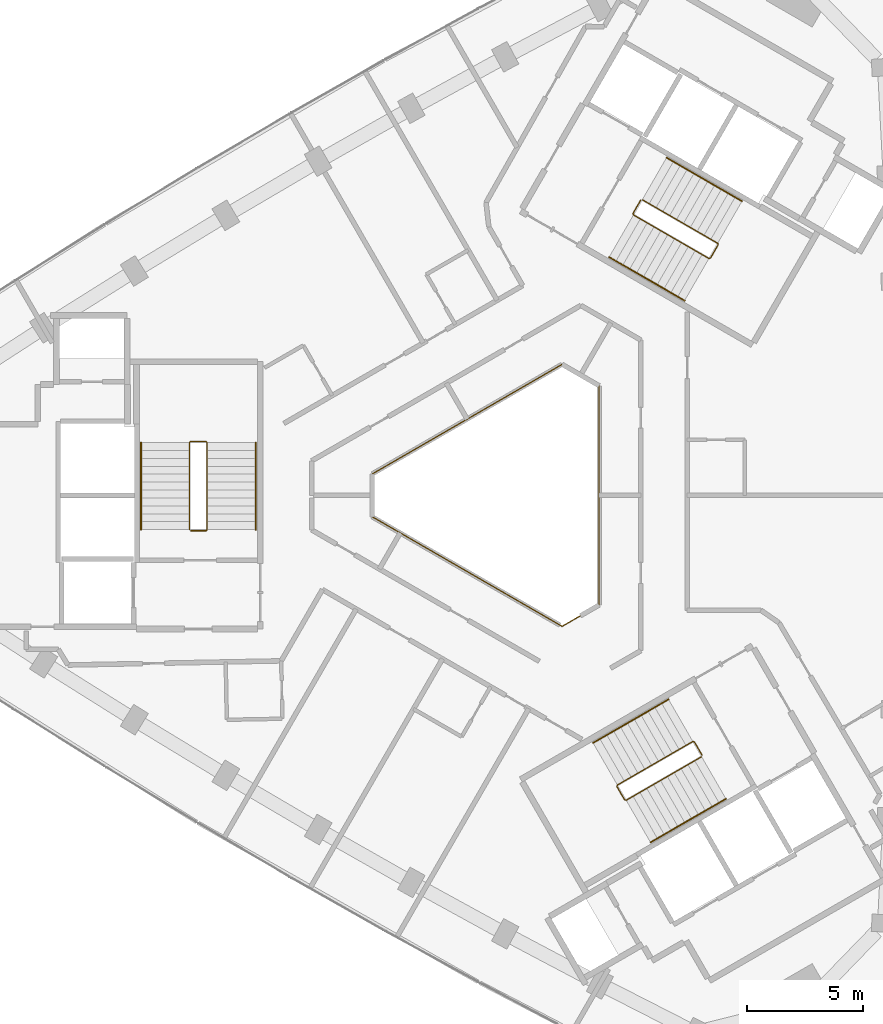
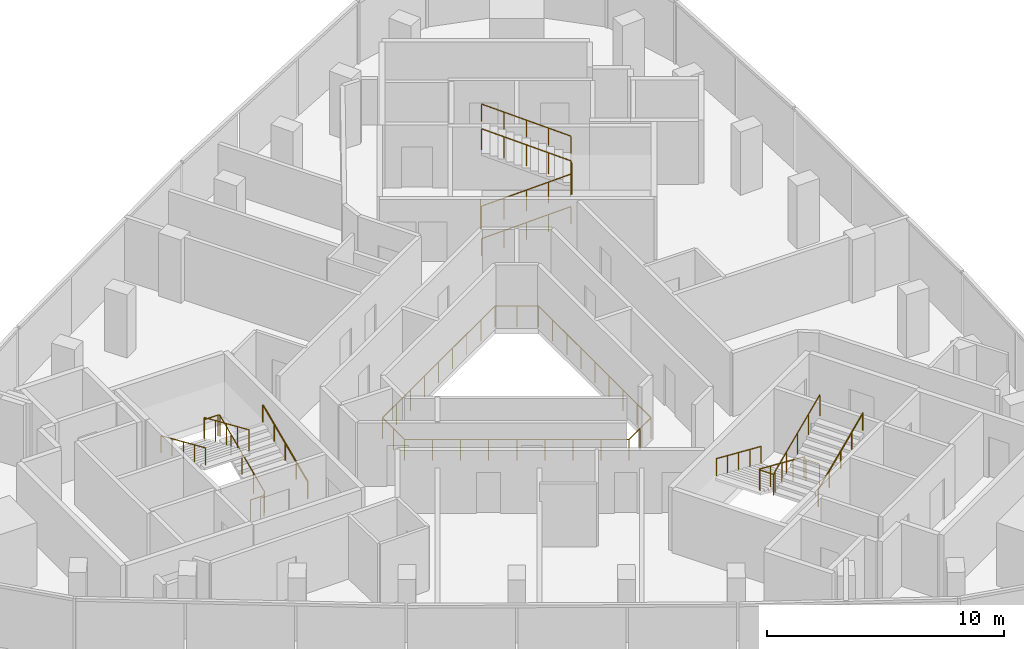
# One storey, part 11 of 11: 10 railings.
"""IFC4 building model written with IfcOpenShell, lengths in metres."""

from ifc_helpers import new_model, si_unit, direction, frame, origin, origin_2d, place, context, subcontext, project, spatial, circle, extrude, material, type_object, element, save


model = new_model("IFC4")

# Units and contexts
model_context = context("Model", 3, precision=1e-05, world=origin(), true_north=direction((0.0, 1.0)))
body_context = subcontext(model_context, "Body", "Model", "MODEL_VIEW")
ifc_project = project(units=[si_unit("LENGTHUNIT", "METRE"), si_unit("AREAUNIT", "SQUARE_METRE"), si_unit("VOLUMEUNIT", "CUBIC_METRE"), si_unit("PLANEANGLEUNIT", "RADIAN"), si_unit("MASSUNIT", "GRAM", prefix="KILO")], contexts=[model_context])

# Site, building, storey
site_placement = place(None, origin())
site = spatial("IfcSite", under=ifc_project, at=site_placement, CompositionType="ELEMENT")
building_placement = place(site_placement, origin())
building = spatial("IfcBuilding", under=site, at=building_placement, Name="Tamra Quay Hotel Tower", CompositionType="ELEMENT")
storey_placement = place(building_placement, frame((0.0, 0.0, 235.800048828125)))
storey = spatial("IfcBuildingStorey", under=building, at=storey_placement, Name="L59", CompositionType="ELEMENT", Elevation=235.800048828125)

# Railings
ifc_material_1 = material(Name="Guard atrium edge 1100")
railing_type_1 = type_object("IfcRailingType", Name="Guard atrium edge 1100", PredefinedType="GUARDRAIL", material=ifc_material_1)
railing_1_placement = place(storey_placement, frame((3.800048828125, -4.73388671875, 0.0)))
element("IfcRailing", 1, at=railing_1_placement, inside=storey, type_object=railing_type_1, Name="G-A", PredefinedType="GUARDRAIL", context=body_context, shape_type="SweptSolid", body=[
    extrude(circle(Radius=0.02392578125, at=origin_2d()), frame((0.0, 0.0, 1.076171875), z_axis=(-0.865965533559, -0.500103683937, 0.0), x_axis=(0.500103683937, -0.865965533559, 0.0)), (0.0, 0.0, 1.0), 1.84765625),
    extrude(circle(Radius=0.02392578125, at=origin_2d()), frame((-1.60009765625, -0.924072265625, 1.076171875), z_axis=(-0.86604174356, 0.49997169761, 0.0), x_axis=(-0.49997169761, -0.86604174356, 0.0)), (0.0, 0.0, 1.0), 9.46826171875),
    extrude(circle(Radius=0.02392578125, at=origin_2d()), frame((-9.800048828125, 3.809814453125, 1.076171875), z_axis=(0.0, 1.0, 0.0), x_axis=(-1.0, 0.0, 0.0)), (0.0, 0.0, 1.0), 1.84814453125),
    extrude(circle(Radius=0.02392578125, at=origin_2d()), frame((-9.800048828125, 5.657958984375, 1.076171875), z_axis=(0.86604174356, 0.49997169761, 0.0), x_axis=(-0.49997169761, 0.86604174356, 0.0)), (0.0, 0.0, 1.0), 9.46826171875),
    extrude(circle(Radius=0.02392578125, at=origin_2d()), frame((-1.60009765625, 10.391845703125, 1.076171875), z_axis=(0.865965533559, -0.500103683937, 0.0), x_axis=(0.500103683937, 0.865965533559, 0.0)), (0.0, 0.0, 1.0), 1.84765625),
    extrude(circle(Radius=0.02392578125, at=origin_2d()), frame((0.0, 9.4677734375, 1.076171875), z_axis=(0.0, -1.0, 0.0), x_axis=(1.0, 0.0, 0.0)), (0.0, 0.0, 1.0), 9.4677734375),
    extrude(circle(Radius=0.02099609375, at=origin_2d()), origin(), (0.0, 0.0, 1.0), 1.052001953125),
    extrude(circle(Radius=0.02099609375, at=origin_2d()), frame((-0.800048828125, -0.4619140625, 0.0)), (0.0, 0.0, 1.0), 1.052001953125),
    extrude(circle(Radius=0.02099609375, at=origin_2d()), frame((-1.60009765625, -0.924072265625, 0.0)), (0.0, 0.0, 1.0), 1.052001953125),
    extrude(circle(Radius=0.02099609375, at=origin_2d()), frame((-2.625, -0.332275390625, 0.0)), (0.0, 0.0, 1.0), 1.052001953125),
    extrude(circle(Radius=0.02099609375, at=origin_2d()), frame((-3.650146484375, 0.25927734375, 0.0)), (0.0, 0.0, 1.0), 1.052001953125),
    extrude(circle(Radius=0.02099609375, at=origin_2d()), frame((-4.675048828125, 0.85107421875, 0.0)), (0.0, 0.0, 1.0), 1.052001953125),
    extrude(circle(Radius=0.02099609375, at=origin_2d()), frame((-5.7001953125, 1.44287109375, 0.0)), (0.0, 0.0, 1.0), 1.052001953125),
    extrude(circle(Radius=0.02099609375, at=origin_2d()), frame((-6.72509765625, 2.03466796875, 0.0)), (0.0, 0.0, 1.0), 1.052001953125),
    extrude(circle(Radius=0.02099609375, at=origin_2d()), frame((-7.75, 2.62646484375, 0.0)), (0.0, 0.0, 1.0), 1.052001953125),
    extrude(circle(Radius=0.02099609375, at=origin_2d()), frame((-8.775146484375, 3.218017578125, 0.0)), (0.0, 0.0, 1.0), 1.052001953125),
    extrude(circle(Radius=0.02099609375, at=origin_2d()), frame((-9.800048828125, 3.809814453125, 0.0)), (0.0, 0.0, 1.0), 1.052001953125),
    extrude(circle(Radius=0.02099609375, at=origin_2d()), frame((-9.800048828125, 4.73388671875, 0.0)), (0.0, 0.0, 1.0), 1.052001953125),
    extrude(circle(Radius=0.02099609375, at=origin_2d()), frame((-9.800048828125, 5.657958984375, 0.0)), (0.0, 0.0, 1.0), 1.052001953125),
    extrude(circle(Radius=0.02099609375, at=origin_2d()), frame((-8.775146484375, 6.249755859375, 0.0)), (0.0, 0.0, 1.0), 1.052001953125),
    extrude(circle(Radius=0.02099609375, at=origin_2d()), frame((-7.75, 6.84130859375, 0.0)), (0.0, 0.0, 1.0), 1.052001953125),
    extrude(circle(Radius=0.02099609375, at=origin_2d()), frame((-6.72509765625, 7.43310546875, 0.0)), (0.0, 0.0, 1.0), 1.052001953125),
    extrude(circle(Radius=0.02099609375, at=origin_2d()), frame((-5.7001953125, 8.02490234375, 0.0)), (0.0, 0.0, 1.0), 1.052001953125),
    extrude(circle(Radius=0.02099609375, at=origin_2d()), frame((-4.675048828125, 8.61669921875, 0.0)), (0.0, 0.0, 1.0), 1.052001953125),
    extrude(circle(Radius=0.02099609375, at=origin_2d()), frame((-3.650146484375, 9.20849609375, 0.0)), (0.0, 0.0, 1.0), 1.052001953125),
    extrude(circle(Radius=0.02099609375, at=origin_2d()), frame((-2.625, 9.800048828125, 0.0)), (0.0, 0.0, 1.0), 1.052001953125),
    extrude(circle(Radius=0.02099609375, at=origin_2d()), frame((-1.60009765625, 10.391845703125, 0.0)), (0.0, 0.0, 1.0), 1.052001953125),
    extrude(circle(Radius=0.02099609375, at=origin_2d()), frame((-0.800048828125, 9.9296875, 0.0)), (0.0, 0.0, 1.0), 1.052001953125),
    extrude(circle(Radius=0.02099609375, at=origin_2d()), frame((0.0, 9.4677734375, 0.0)), (0.0, 0.0, 1.0), 1.052001953125),
    extrude(circle(Radius=0.02099609375, at=origin_2d()), frame((0.0, 8.2841796875, 0.0)), (0.0, 0.0, 1.0), 1.052001953125),
    extrude(circle(Radius=0.02099609375, at=origin_2d()), frame((0.0, 7.100830078125, 0.0)), (0.0, 0.0, 1.0), 1.052001953125),
    extrude(circle(Radius=0.02099609375, at=origin_2d()), frame((0.0, 5.91748046875, 0.0)), (0.0, 0.0, 1.0), 1.052001953125),
    extrude(circle(Radius=0.02099609375, at=origin_2d()), frame((0.0, 4.73388671875, 0.0)), (0.0, 0.0, 1.0), 1.052001953125),
    extrude(circle(Radius=0.02099609375, at=origin_2d()), frame((0.0, 3.55029296875, 0.0)), (0.0, 0.0, 1.0), 1.052001953125),
    extrude(circle(Radius=0.02099609375, at=origin_2d()), frame((0.0, 2.366943359375, 0.0)), (0.0, 0.0, 1.0), 1.052001953125),
    extrude(circle(Radius=0.02099609375, at=origin_2d()), frame((0.0, 1.18359375, 0.0)), (0.0, 0.0, 1.0), 1.052001953125),
])
ifc_material_2 = material(Name="Stair guard 1100")
railing_type_2 = type_object("IfcRailingType", Name="Stair guard 1100", PredefinedType="GUARDRAIL", material=ifc_material_2)
railing_2_placement = place(storey_placement, frame((-13.84130859375, -1.530029296875, 0.0)))
element("IfcRailing", 2, at=railing_2_placement, inside=storey, type_object=railing_type_2, Name="GR", PredefinedType="GUARDRAIL", context=body_context, shape_type="SweptSolid", body=[
    extrude(circle(Radius=0.02392578125, at=origin_2d()), frame((0.0, 0.0, 1.076171875), z_axis=(1.0, 0.0, 0.0), x_axis=(0.0, 1.0, 0.0)), (0.0, 0.0, 1.0), 0.658935546875),
    extrude(circle(Radius=0.02392578125, at=origin_2d()), frame((0.658935546875, 0.0, 1.076171875), z_axis=(0.301912943143, 0.301912943143, 0.904266083366), x_axis=(-0.707106781187, 0.707106781187, 0.0)), (0.0, 0.0, 1.0), 0.165771484375),
    extrude(circle(Radius=0.02392578125, at=origin_2d()), frame((0.708984375, 0.050048828125, 1.22607421875), z_axis=(0.0, 0.915773634228, 0.401694723457), x_axis=(-1.0, 0.0, 0.0)), (0.0, 0.0, 1.0), 4.10791015625),
    extrude(circle(Radius=0.02392578125, at=origin_2d()), frame((0.708984375, 3.81201171875, 2.8759765625), z_axis=(-0.708833529934, 0.705375805398, 0.0), x_axis=(-0.705375805398, -0.708833529934, 0.0)), (0.0, 0.0, 1.0), 0.070556640625),
    extrude(circle(Radius=0.02392578125, at=origin_2d()), frame((0.658935546875, 3.86181640625, 2.8759765625), z_axis=(-1.0, 0.0, 0.0), x_axis=(0.0, -1.0, 0.0)), (0.0, 0.0, 1.0), 0.658935546875),
    extrude(circle(Radius=0.02392578125, at=origin_2d()), frame((0.0, 3.86181640625, 2.8759765625), z_axis=(-0.302046947789, -0.300573548044, 0.904667443621), x_axis=(0.705375805398, -0.708833529934, 0.0)), (0.0, 0.0, 1.0), 0.165771484375),
    extrude(circle(Radius=0.02392578125, at=origin_2d()), frame((-0.050048828125, 3.81201171875, 3.02587890625), z_axis=(0.0, -0.915795495799, 0.401644880304), x_axis=(1.0, 0.0, 0.0)), (0.0, 0.0, 1.0), 4.10791015625),
    extrude(circle(Radius=0.02099609375, at=origin_2d()), origin(), (0.0, 0.0, 1.0), 1.052001953125),
    extrude(circle(Radius=0.02099609375, at=origin_2d()), frame((0.658935546875, 0.0, 0.0)), (0.0, 0.0, 1.0), 1.052001953125),
    extrude(circle(Radius=0.02099609375, at=origin_2d()), frame((0.708984375, 0.050048828125, 0.14990234375)), (0.0, 0.0, 1.0), 1.052001953125),
    extrude(circle(Radius=0.02099609375, at=origin_2d()), frame((0.708984375, 0.990478515625, 0.5625)), (0.0, 0.0, 1.0), 1.052001953125),
    extrude(circle(Radius=0.02099609375, at=origin_2d()), frame((0.708984375, 1.93115234375, 0.97509765625)), (0.0, 0.0, 1.0), 1.052001953125),
    extrude(circle(Radius=0.02099609375, at=origin_2d()), frame((0.708984375, 2.87158203125, 1.387451171875)), (0.0, 0.0, 1.0), 1.052001953125),
    extrude(circle(Radius=0.02099609375, at=origin_2d()), frame((0.708984375, 3.81201171875, 1.800048828125)), (0.0, 0.0, 1.0), 1.052001953125),
    extrude(circle(Radius=0.02099609375, at=origin_2d()), frame((0.658935546875, 3.86181640625, 1.800048828125)), (0.0, 0.0, 1.0), 1.052001953125),
    extrude(circle(Radius=0.02099609375, at=origin_2d()), frame((0.0, 3.86181640625, 1.800048828125)), (0.0, 0.0, 1.0), 1.052001953125),
    extrude(circle(Radius=0.02099609375, at=origin_2d()), frame((-0.050048828125, 3.81201171875, 1.949951171875)), (0.0, 0.0, 1.0), 1.052001953125),
    extrude(circle(Radius=0.02099609375, at=origin_2d()), frame((-0.050048828125, 2.87158203125, 2.3623046875)), (0.0, 0.0, 1.0), 1.052001953125),
    extrude(circle(Radius=0.02099609375, at=origin_2d()), frame((-0.050048828125, 1.93115234375, 2.77490234375)), (0.0, 0.0, 1.0), 1.052001953125),
    extrude(circle(Radius=0.02099609375, at=origin_2d()), frame((-0.050048828125, 0.990478515625, 3.1875)), (0.0, 0.0, 1.0), 1.052001953125),
    extrude(circle(Radius=0.02099609375, at=origin_2d()), frame((-0.050048828125, 0.050048828125, 3.599853515625)), (0.0, 0.0, 1.0), 1.052001953125),
])
railing_3_placement = place(storey_placement, frame((5.595458984375, 12.751953125, 0.0)))
element("IfcRailing", 3, at=railing_3_placement, inside=storey, type_object=railing_type_2, Name="GR", PredefinedType="GUARDRAIL", context=body_context, shape_type="SweptSolid", body=[
    extrude(circle(Radius=0.02392578125, at=origin_2d()), frame((0.0, 0.0, 1.076171875), z_axis=(-0.499765215335, -0.866160914346, 0.0), x_axis=(0.866160914346, -0.499765215335, 0.0)), (0.0, 0.0, 1.0), 0.658935546875),
    extrude(circle(Radius=0.02392578125, at=origin_2d()), frame((-0.329345703125, -0.57080078125, 1.076171875), z_axis=(0.110525977783, -0.411156637351, 0.904839338113), x_axis=(0.965715946433, 0.259601060869, 0.0)), (0.0, 0.0, 1.0), 0.165771484375),
    extrude(circle(Radius=0.02392578125, at=origin_2d()), frame((-0.31103515625, -0.638916015625, 1.22607421875), z_axis=(0.79305953016, -0.457922937641, 0.401700342053), x_axis=(0.500040788363, 0.866001853331, 0.0)), (0.0, 0.0, 1.0), 4.10791015625),
    extrude(circle(Radius=0.02392578125, at=origin_2d()), frame((2.94677734375, -2.52001953125, 2.8759765625), z_axis=(0.965948051503, 0.258736085224, 0.0), x_axis=(-0.258736085224, 0.965948051503, 0.0)), (0.0, 0.0, 1.0), 0.07080078125),
    extrude(circle(Radius=0.02392578125, at=origin_2d()), frame((3.01513671875, -2.501708984375, 2.8759765625), z_axis=(0.500043078269, 0.866000531106, 0.0), x_axis=(-0.866000531106, 0.500043078269, 0.0)), (0.0, 0.0, 1.0), 0.6591796875),
    extrude(circle(Radius=0.02392578125, at=origin_2d()), frame((3.3447265625, -1.930908203125, 2.8759765625), z_axis=(-0.110525977783, 0.411156637351, 0.904839338113), x_axis=(-0.965715946433, -0.259601060869, 0.0)), (0.0, 0.0, 1.0), 0.165771484375),
    extrude(circle(Radius=0.02392578125, at=origin_2d()), frame((3.326416015625, -1.86279296875, 3.02587890625), z_axis=(-0.793100512587, 0.457912285461, 0.401631567183), x_axis=(-0.500012686397, -0.866018079166, 0.0)), (0.0, 0.0, 1.0), 4.10791015625),
    extrude(circle(Radius=0.02099609375, at=origin_2d()), origin(), (0.0, 0.0, 1.0), 1.052001953125),
    extrude(circle(Radius=0.02099609375, at=origin_2d()), frame((-0.329345703125, -0.57080078125, 0.0)), (0.0, 0.0, 1.0), 1.052001953125),
    extrude(circle(Radius=0.02099609375, at=origin_2d()), frame((-0.31103515625, -0.638916015625, 0.14990234375)), (0.0, 0.0, 1.0), 1.052001953125),
    extrude(circle(Radius=0.02099609375, at=origin_2d()), frame((0.50341796875, -1.109130859375, 0.5625)), (0.0, 0.0, 1.0), 1.052001953125),
    extrude(circle(Radius=0.02099609375, at=origin_2d()), frame((1.31787109375, -1.57958984375, 0.97509765625)), (0.0, 0.0, 1.0), 1.052001953125),
    extrude(circle(Radius=0.02099609375, at=origin_2d()), frame((2.13232421875, -2.0498046875, 1.387451171875)), (0.0, 0.0, 1.0), 1.052001953125),
    extrude(circle(Radius=0.02099609375, at=origin_2d()), frame((2.94677734375, -2.52001953125, 1.800048828125)), (0.0, 0.0, 1.0), 1.052001953125),
    extrude(circle(Radius=0.02099609375, at=origin_2d()), frame((3.01513671875, -2.501708984375, 1.800048828125)), (0.0, 0.0, 1.0), 1.052001953125),
    extrude(circle(Radius=0.02099609375, at=origin_2d()), frame((3.3447265625, -1.930908203125, 1.800048828125)), (0.0, 0.0, 1.0), 1.052001953125),
    extrude(circle(Radius=0.02099609375, at=origin_2d()), frame((3.326416015625, -1.86279296875, 1.949951171875)), (0.0, 0.0, 1.0), 1.052001953125),
    extrude(circle(Radius=0.02099609375, at=origin_2d()), frame((2.511962890625, -1.392578125, 2.3623046875)), (0.0, 0.0, 1.0), 1.052001953125),
    extrude(circle(Radius=0.02099609375, at=origin_2d()), frame((1.697265625, -0.92236328125, 2.77490234375)), (0.0, 0.0, 1.0), 1.052001953125),
    extrude(circle(Radius=0.02099609375, at=origin_2d()), frame((0.8828125, -0.451904296875, 3.1875)), (0.0, 0.0, 1.0), 1.052001953125),
    extrude(circle(Radius=0.02099609375, at=origin_2d()), frame((0.068359375, 0.018310546875, 3.599853515625)), (0.0, 0.0, 1.0), 1.052001953125),
])
railing_4_placement = place(storey_placement, frame((8.245849609375, -11.221923828125, 0.0)))
element("IfcRailing", 4, at=railing_4_placement, inside=storey, type_object=railing_type_2, Name="GR", PredefinedType="GUARDRAIL", context=body_context, shape_type="SweptSolid", body=[
    extrude(circle(Radius=0.02392578125, at=origin_2d()), frame((0.0, 0.0, 1.076171875), z_axis=(-0.500043078269, 0.866000531106, 0.0), x_axis=(-0.866000531106, -0.500043078269, 0.0)), (0.0, 0.0, 1.0), 0.6591796875),
    extrude(circle(Radius=0.02392578125, at=origin_2d()), frame((-0.32958984375, 0.57080078125, 1.076171875), z_axis=(-0.41238007866, 0.110458949641, 0.904290601062), x_axis=(-0.258736085224, -0.965948051503, 0.0)), (0.0, 0.0, 1.0), 0.165771484375),
    extrude(circle(Radius=0.02392578125, at=origin_2d()), frame((-0.39794921875, 0.589111328125, 1.22607421875), z_axis=(-0.793081581205, -0.457901355053, 0.401681409319), x_axis=(0.500012686397, -0.866018079166, 0.0)), (0.0, 0.0, 1.0), 4.108154296875),
    extrude(circle(Radius=0.02392578125, at=origin_2d()), frame((-3.656005859375, -1.2919921875, 2.8759765625), z_axis=(-0.256368644879, -0.966579080015, 0.0), x_axis=(0.966579080015, -0.256368644879, 0.0)), (0.0, 0.0, 1.0), 0.070556640625),
    extrude(circle(Radius=0.02392578125, at=origin_2d()), frame((-3.674072265625, -1.360107421875, 2.8759765625), z_axis=(0.499765215335, -0.866160914346, 0.0), x_axis=(0.866160914346, 0.499765215335, 0.0)), (0.0, 0.0, 1.0), 0.658935546875),
    extrude(circle(Radius=0.02392578125, at=origin_2d()), frame((-3.3447265625, -1.930908203125, 2.8759765625), z_axis=(0.41238007866, -0.110458949641, 0.904290601062), x_axis=(0.258736085224, 0.965948051503, 0.0)), (0.0, 0.0, 1.0), 0.165771484375),
    extrude(circle(Radius=0.02392578125, at=origin_2d()), frame((-3.2763671875, -1.94921875, 3.02587890625), z_axis=(0.793100512587, 0.457912285461, 0.401631567183), x_axis=(-0.500012686397, 0.866018079166, 0.0)), (0.0, 0.0, 1.0), 4.10791015625),
    extrude(circle(Radius=0.02099609375, at=origin_2d()), origin(), (0.0, 0.0, 1.0), 1.052001953125),
    extrude(circle(Radius=0.02099609375, at=origin_2d()), frame((-0.32958984375, 0.57080078125, 0.0)), (0.0, 0.0, 1.0), 1.052001953125),
    extrude(circle(Radius=0.02099609375, at=origin_2d()), frame((-0.39794921875, 0.589111328125, 0.14990234375)), (0.0, 0.0, 1.0), 1.052001953125),
    extrude(circle(Radius=0.02099609375, at=origin_2d()), frame((-1.21240234375, 0.118896484375, 0.5625)), (0.0, 0.0, 1.0), 1.052001953125),
    extrude(circle(Radius=0.02099609375, at=origin_2d()), frame((-2.02685546875, -0.3515625, 0.97509765625)), (0.0, 0.0, 1.0), 1.052001953125),
    extrude(circle(Radius=0.02099609375, at=origin_2d()), frame((-2.841552734375, -0.82177734375, 1.387451171875)), (0.0, 0.0, 1.0), 1.052001953125),
    extrude(circle(Radius=0.02099609375, at=origin_2d()), frame((-3.656005859375, -1.2919921875, 1.800048828125)), (0.0, 0.0, 1.0), 1.052001953125),
    extrude(circle(Radius=0.02099609375, at=origin_2d()), frame((-3.674072265625, -1.360107421875, 1.800048828125)), (0.0, 0.0, 1.0), 1.052001953125),
    extrude(circle(Radius=0.02099609375, at=origin_2d()), frame((-3.3447265625, -1.930908203125, 1.800048828125)), (0.0, 0.0, 1.0), 1.052001953125),
    extrude(circle(Radius=0.02099609375, at=origin_2d()), frame((-3.2763671875, -1.94921875, 1.949951171875)), (0.0, 0.0, 1.0), 1.052001953125),
    extrude(circle(Radius=0.02099609375, at=origin_2d()), frame((-2.4619140625, -1.47900390625, 2.3623046875)), (0.0, 0.0, 1.0), 1.052001953125),
    extrude(circle(Radius=0.02099609375, at=origin_2d()), frame((-1.6474609375, -1.0087890625, 2.77490234375)), (0.0, 0.0, 1.0), 1.052001953125),
    extrude(circle(Radius=0.02099609375, at=origin_2d()), frame((-0.832763671875, -0.538330078125, 3.1875)), (0.0, 0.0, 1.0), 1.052001953125),
    extrude(circle(Radius=0.02099609375, at=origin_2d()), frame((-0.018310546875, -0.068115234375, 3.599853515625)), (0.0, 0.0, 1.0), 1.052001953125),
])
ifc_material_3 = material(Name="Stair handrail 900")
railing_type_3 = type_object("IfcRailingType", Name="Stair handrail 900", PredefinedType="HANDRAIL", material=ifc_material_3)
railing_5_placement = place(storey_placement, frame((-11.0322265625, -1.47998046875, 0.14990234375)))
element("IfcRailing", 5, at=railing_5_placement, inside=storey, type_object=railing_type_3, Name="HR", PredefinedType="HANDRAIL", context=body_context, shape_type="SweptSolid", body=[
    extrude(circle(Radius=0.02392578125, at=origin_2d()), frame((0.0, 0.0, 0.8759765625), z_axis=(0.0, 0.915773634228, 0.401694723457), x_axis=(-1.0, 0.0, 0.0)), (0.0, 0.0, 1.0), 4.10791015625),
    extrude(circle(Radius=0.02099609375, at=origin_2d()), origin(), (0.0, 0.0, 1.0), 0.851806640625),
    extrude(circle(Radius=0.02099609375, at=origin_2d()), frame((0.0, 0.9404296875, 0.41259765625)), (0.0, 0.0, 1.0), 0.851806640625),
    extrude(circle(Radius=0.02099609375, at=origin_2d()), frame((0.0, 1.880859375, 0.8251953125)), (0.0, 0.0, 1.0), 0.851806640625),
    extrude(circle(Radius=0.02099609375, at=origin_2d()), frame((0.0, 2.821533203125, 1.237548828125)), (0.0, 0.0, 1.0), 0.851806640625),
    extrude(circle(Radius=0.02099609375, at=origin_2d()), frame((0.0, 3.761962890625, 1.650146484375)), (0.0, 0.0, 1.0), 0.851806640625),
])
railing_6_placement = place(storey_placement, frame((-15.9912109375, 2.281982421875, 1.949951171875)))
element("IfcRailing", 6, at=railing_6_placement, inside=storey, type_object=railing_type_3, Name="HR", PredefinedType="HANDRAIL", context=body_context, shape_type="SweptSolid", body=[
    extrude(circle(Radius=0.02392578125, at=origin_2d()), frame((0.0, 0.0, 0.8759765625), z_axis=(0.0, -0.915795495799, 0.401644880304), x_axis=(1.0, 0.0, 0.0)), (0.0, 0.0, 1.0), 4.10791015625),
    extrude(circle(Radius=0.02099609375, at=origin_2d()), origin(), (0.0, 0.0, 1.0), 0.851806640625),
    extrude(circle(Radius=0.02099609375, at=origin_2d()), frame((0.0, -0.9404296875, 0.41259765625)), (0.0, 0.0, 1.0), 0.851806640625),
    extrude(circle(Radius=0.02099609375, at=origin_2d()), frame((0.0, -1.880859375, 0.824951171875)), (0.0, 0.0, 1.0), 0.851806640625),
    extrude(circle(Radius=0.02099609375, at=origin_2d()), frame((0.0, -2.821533203125, 1.2373046875)), (0.0, 0.0, 1.0), 0.851806640625),
    extrude(circle(Radius=0.02099609375, at=origin_2d()), frame((0.0, -3.761962890625, 1.64990234375)), (0.0, 0.0, 1.0), 0.851806640625),
])
railing_7_placement = place(storey_placement, frame((4.234375, 10.294189453125, 0.14990234375)))
element("IfcRailing", 7, at=railing_7_placement, inside=storey, type_object=railing_type_3, Name="HR", PredefinedType="HANDRAIL", context=body_context, shape_type="SweptSolid", body=[
    extrude(circle(Radius=0.02392578125, at=origin_2d()), frame((0.0, 0.0, 0.8759765625), z_axis=(0.793103162556, -0.457854384738, 0.401692339881), x_axis=(0.499964013922, 0.86604617936, 0.0)), (0.0, 0.0, 1.0), 4.10791015625),
    extrude(circle(Radius=0.02099609375, at=origin_2d()), origin(), (0.0, 0.0, 1.0), 0.851806640625),
    extrude(circle(Radius=0.02099609375, at=origin_2d()), frame((0.814453125, -0.47021484375, 0.41259765625)), (0.0, 0.0, 1.0), 0.851806640625),
    extrude(circle(Radius=0.02099609375, at=origin_2d()), frame((1.62890625, -0.9404296875, 0.8251953125)), (0.0, 0.0, 1.0), 0.851806640625),
    extrude(circle(Radius=0.02099609375, at=origin_2d()), frame((2.443603515625, -1.41064453125, 1.237548828125)), (0.0, 0.0, 1.0), 0.851806640625),
    extrude(circle(Radius=0.02099609375, at=origin_2d()), frame((3.258056640625, -1.880859375, 1.650146484375)), (0.0, 0.0, 1.0), 0.851806640625),
])
railing_8_placement = place(storey_placement, frame((9.971923828125, 12.7080078125, 1.949951171875)))
element("IfcRailing", 8, at=railing_8_placement, inside=storey, type_object=railing_type_3, Name="HR", PredefinedType="HANDRAIL", context=body_context, shape_type="SweptSolid", body=[
    extrude(circle(Radius=0.02392578125, at=origin_2d()), frame((0.0, 0.0, 0.8759765625), z_axis=(-0.793122095483, 0.45786531462, 0.401642496911), x_axis=(-0.499964013922, -0.86604617936, 0.0)), (0.0, 0.0, 1.0), 4.10791015625),
    extrude(circle(Radius=0.02099609375, at=origin_2d()), origin(), (0.0, 0.0, 1.0), 0.851806640625),
    extrude(circle(Radius=0.02099609375, at=origin_2d()), frame((-0.814453125, 0.47021484375, 0.41259765625)), (0.0, 0.0, 1.0), 0.851806640625),
    extrude(circle(Radius=0.02099609375, at=origin_2d()), frame((-1.62890625, 0.9404296875, 0.824951171875)), (0.0, 0.0, 1.0), 0.851806640625),
    extrude(circle(Radius=0.02099609375, at=origin_2d()), frame((-2.443603515625, 1.41064453125, 1.2373046875)), (0.0, 0.0, 1.0), 0.851806640625),
    extrude(circle(Radius=0.02099609375, at=origin_2d()), frame((-3.258056640625, 1.880859375, 1.64990234375)), (0.0, 0.0, 1.0), 0.851806640625),
])
railing_9_placement = place(storey_placement, frame((6.7978515625, -8.814208984375, 0.14990234375)))
element("IfcRailing", 9, at=railing_9_placement, inside=storey, type_object=railing_type_3, Name="HR", PredefinedType="HANDRAIL", context=body_context, shape_type="SweptSolid", body=[
    extrude(circle(Radius=0.02392578125, at=origin_2d()), frame((0.0, 0.0, 0.8759765625), z_axis=(-0.793081112945, -0.457875966286, 0.40171127416), x_axis=(0.499992114976, -0.866029956157, 0.0)), (0.0, 0.0, 1.0), 4.10791015625),
    extrude(circle(Radius=0.02099609375, at=origin_2d()), origin(), (0.0, 0.0, 1.0), 0.851806640625),
    extrude(circle(Radius=0.02099609375, at=origin_2d()), frame((-0.814453125, -0.47021484375, 0.41259765625)), (0.0, 0.0, 1.0), 0.851806640625),
    extrude(circle(Radius=0.02099609375, at=origin_2d()), frame((-1.62890625, -0.9404296875, 0.8251953125)), (0.0, 0.0, 1.0), 0.851806640625),
    extrude(circle(Radius=0.02099609375, at=origin_2d()), frame((-2.443359375, -1.41064453125, 1.237548828125)), (0.0, 0.0, 1.0), 0.851806640625),
    extrude(circle(Radius=0.02099609375, at=origin_2d()), frame((-3.2578125, -1.880859375, 1.650146484375)), (0.0, 0.0, 1.0), 0.851806640625),
])
railing_10_placement = place(storey_placement, frame((6.01953125, -14.98974609375, 1.949951171875)))
element("IfcRailing", 10, at=railing_10_placement, inside=storey, type_object=railing_type_3, Name="HR", PredefinedType="HANDRAIL", context=body_context, shape_type="SweptSolid", body=[
    extrude(circle(Radius=0.02392578125, at=origin_2d()), frame((0.0, 0.0, 0.8759765625), z_axis=(0.79310004713, 0.457886897714, 0.401661429744), x_axis=(-0.499992114976, 0.866029956157, 0.0)), (0.0, 0.0, 1.0), 4.107666015625),
    extrude(circle(Radius=0.02099609375, at=origin_2d()), origin(), (0.0, 0.0, 1.0), 0.851806640625),
    extrude(circle(Radius=0.02099609375, at=origin_2d()), frame((0.814453125, 0.47021484375, 0.41259765625)), (0.0, 0.0, 1.0), 0.851806640625),
    extrude(circle(Radius=0.02099609375, at=origin_2d()), frame((1.62890625, 0.9404296875, 0.824951171875)), (0.0, 0.0, 1.0), 0.851806640625),
    extrude(circle(Radius=0.02099609375, at=origin_2d()), frame((2.443359375, 1.41064453125, 1.2373046875)), (0.0, 0.0, 1.0), 0.851806640625),
    extrude(circle(Radius=0.02099609375, at=origin_2d()), frame((3.2578125, 1.880859375, 1.64990234375)), (0.0, 0.0, 1.0), 0.851806640625),
])

save(model, "model.ifc")
